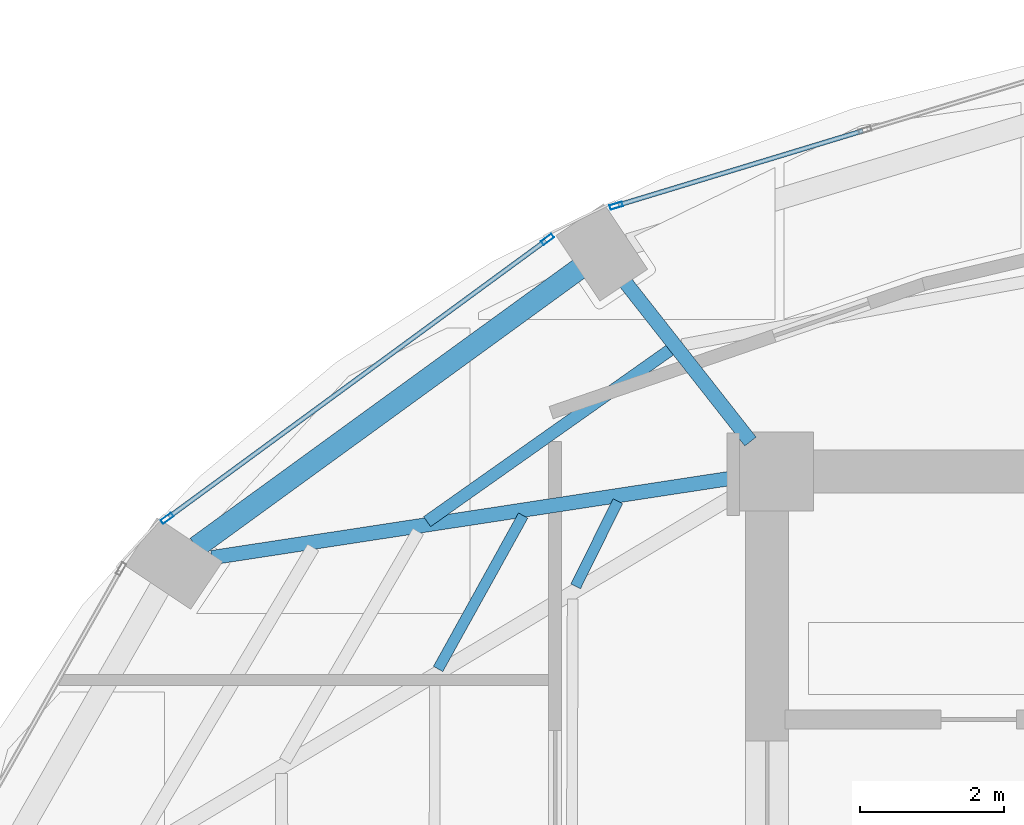
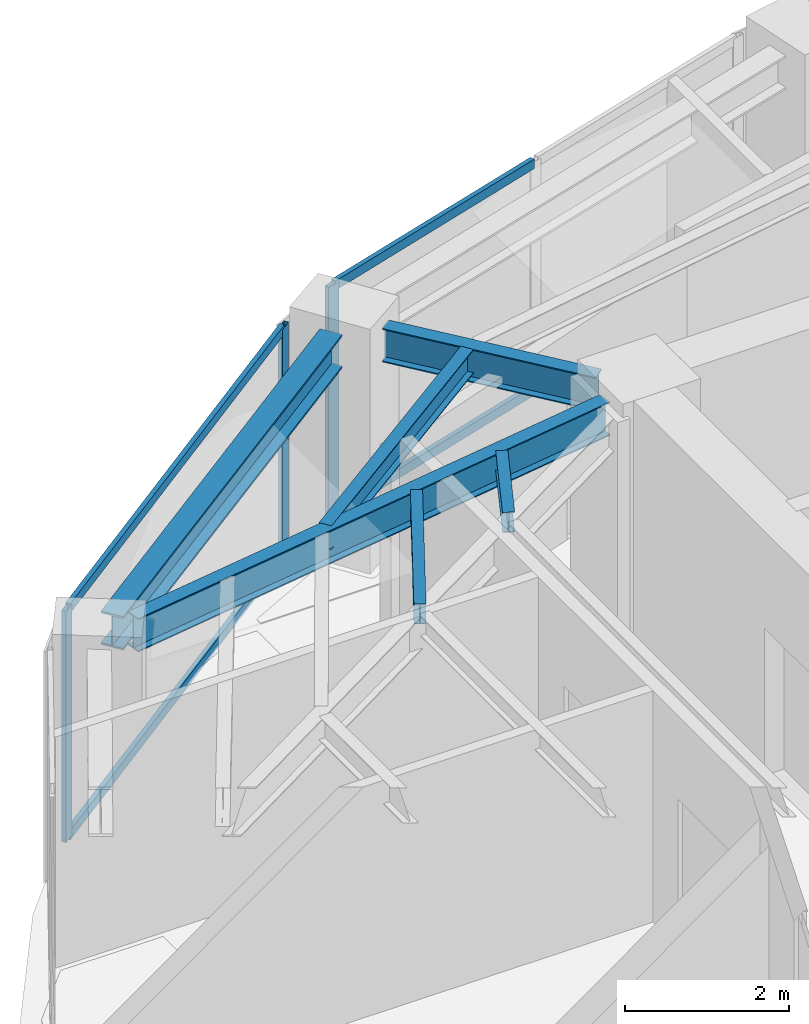
# One storey, part 10 of 23: 7 members, 6 beams, 2 elements without a shape of their own.
"""IFC4 building model written with IfcOpenShell, lengths in metres."""

from ifc_helpers import new_model, si_unit, direction, frame, origin, origin_2d, place, context, subcontext, project, spatial, hollow_rectangle, i_section, extrude, material, layer, layer_set, material_profile, profile_set, type_object, element, aggregate, save


model = new_model("IFC4")

# Units and contexts
model_context = context("Model", 3, precision=1e-05, world=origin(), true_north=direction((0.0, 1.0)))
body_context = subcontext(model_context, "Body", "Model", "MODEL_VIEW")
ifc_project = project(units=[si_unit("LENGTHUNIT", "METRE"), si_unit("AREAUNIT", "SQUARE_METRE"), si_unit("VOLUMEUNIT", "CUBIC_METRE"), si_unit("PLANEANGLEUNIT", "RADIAN"), si_unit("MASSUNIT", "GRAM", prefix="KILO")], contexts=[model_context])

# Site, building, storey
site_placement = place(None, origin())
site = spatial("IfcSite", under=ifc_project, at=site_placement, CompositionType="ELEMENT")
building_placement = place(site_placement, origin())
building = spatial("IfcBuilding", under=site, at=building_placement, Name="Lazwardi Medical Tower", CompositionType="ELEMENT")
storey_placement = place(building_placement, frame((0.0, 0.0, 202.1279296875)))
storey = spatial("IfcBuildingStorey", under=building, at=storey_placement, Name="L52", CompositionType="ELEMENT", Elevation=202.1279296875)

# Beams
ifc_material_1 = material(Name="Steel S355", Category="steel")
ifc_material_profile_1 = material_profile(ifc_material_1, i_section(OverallWidth=0.300048828125, OverallDepth=0.5, WebThickness=0.014404296875, FlangeThickness=0.028076171875, at=origin_2d()), Name="HEB 500")
ifc_profile_set_1 = profile_set([ifc_material_profile_1], Name="Steel S355")
beam_type_1 = type_object("IfcBeamType", Name="BM-RB-Z4", PredefinedType="BEAM", material=ifc_profile_set_1)
beam_1_placement = place(storey_placement, frame((23.68408203125, 38.4248046875, 3.197998046875), z_axis=(-0.808889916254, -0.587960120571, 0.0), x_axis=(0.587960120571, -0.808889916254, 0.0)))
element("IfcBeam", 1, at=beam_1_placement, inside=storey, type_object=beam_type_1, Name="Ring beam RB-05 B10 L52", PredefinedType="BEAM", context=body_context, shape_type="SweptSolid", body=[
    extrude(i_section(OverallWidth=0.300048828125, OverallDepth=0.5, WebThickness=0.014404296875, FlangeThickness=0.028076171875, at=origin_2d()), origin(), (0.0, 0.0, 1.0), 6.587158203125),
])
ifc_material_profile_2 = material_profile(ifc_material_1, i_section(OverallWidth=0.199951171875, OverallDepth=0.5, WebThickness=0.01025390625, FlangeThickness=0.01611328125, at=origin_2d()), Name="IPE 500")
ifc_profile_set_2 = profile_set([ifc_material_profile_2], Name="Steel S355")
beam_type_2 = type_object("IfcBeamType", Name="BM-RG-W3", PredefinedType="BEAM", material=ifc_profile_set_2)
beam_2_placement = place(storey_placement, frame((24.330322265625, 38.2333984375, 3.197998046875), z_axis=(0.617890508382, -0.786264153864, 0.0), x_axis=(0.786264153864, 0.617890508382, 0.0)))
element("IfcBeam", 2, at=beam_2_placement, inside=storey, type_object=beam_type_2, Name="Radial girder RG-04 R10 L52", PredefinedType="BEAM", context=body_context, shape_type="SweptSolid", body=[
    extrude(i_section(OverallWidth=0.199951171875, OverallDepth=0.5, WebThickness=0.01025390625, FlangeThickness=0.01611328125, at=origin_2d()), origin(), (0.0, 0.0, 1.0), 2.814453125),
])
beam_3_placement = place(storey_placement, frame((18.569091796875, 34.4033203125, 3.197998046875), z_axis=(0.988522137285, 0.151076087115, 0.0), x_axis=(-0.151076087115, 0.988522137285, 0.0)))
element("IfcBeam", 3, at=beam_3_placement, inside=storey, type_object=beam_type_2, Name="Radial girder RG-04 R11 L52", PredefinedType="BEAM", context=body_context, shape_type="SweptSolid", body=[
    extrude(i_section(OverallWidth=0.199951171875, OverallDepth=0.5, WebThickness=0.01025390625, FlangeThickness=0.01611328125, at=origin_2d()), origin(), (0.0, 0.0, 1.0), 7.38671875),
])
ifc_material_profile_3 = material_profile(ifc_material_1, i_section(OverallWidth=0.169921875, OverallDepth=0.360107421875, WebThickness=0.008056640625, FlangeThickness=0.0126953125, at=origin_2d()), Name="IPE 360")
ifc_profile_set_3 = profile_set([ifc_material_profile_3], Name="Steel S355")
beam_type_3 = type_object("IfcBeamType", Name="BM-SJ-02", PredefinedType="JOIST", material=ifc_profile_set_3)
beam_4_placement = place(storey_placement, frame((24.948486328125, 37.29345703125, 3.26806640625), z_axis=(-0.816711190406, -0.577046645832, 0.0), x_axis=(0.577046645832, -0.816711190406, 0.0)))
element("IfcBeam", 4, at=beam_4_placement, inside=storey, type_object=beam_type_3, Name="Secondary joist SJ-02 R2 B10 L52", PredefinedType="JOIST", context=body_context, shape_type="SweptSolid", body=[
    extrude(i_section(OverallWidth=0.169921875, OverallDepth=0.360107421875, WebThickness=0.008056640625, FlangeThickness=0.0126953125, at=origin_2d()), origin(), (0.0, 0.0, 1.0), 4.139892578125),
])
ifc_material_profile_4 = material_profile(ifc_material_1, i_section(OverallWidth=0.14990234375, OverallDepth=0.300048828125, WebThickness=0.007080078125, FlangeThickness=0.0107421875, at=origin_2d()), Name="IPE 300")
ifc_profile_set_4 = profile_set([ifc_material_profile_4], Name="Steel S355")
beam_type_4 = type_object("IfcBeamType", Name="BM-SJ-03", PredefinedType="JOIST", material=ifc_profile_set_4)
beam_5_placement = place(storey_placement, frame((22.904296875, 34.98974609375, 3.298095703125), z_axis=(-0.484751625998, -0.874651851363, 0.0), x_axis=(0.874651851363, -0.484751625998, 0.0)))
element("IfcBeam", 5, at=beam_5_placement, inside=storey, type_object=beam_type_4, Name="Secondary joist SJ-03 R3 B11 L52", PredefinedType="JOIST", context=body_context, shape_type="SweptSolid", body=[
    extrude(i_section(OverallWidth=0.14990234375, OverallDepth=0.300048828125, WebThickness=0.007080078125, FlangeThickness=0.0107421875, at=origin_2d()), origin(), (0.0, 0.0, 1.0), 2.442626953125),
])
beam_6_placement = place(storey_placement, frame((24.222412109375, 35.188720703125, 3.298095703125), z_axis=(-0.443587297772, -0.89623116954, 0.0), x_axis=(0.89623116954, -0.443587297772, 0.0)))
element("IfcBeam", 6, at=beam_6_placement, inside=storey, type_object=beam_type_4, Name="Secondary joist SJ-03 R4 B11 L52", PredefinedType="JOIST", context=body_context, shape_type="SweptSolid", body=[
    extrude(i_section(OverallWidth=0.14990234375, OverallDepth=0.300048828125, WebThickness=0.007080078125, FlangeThickness=0.0107421875, at=origin_2d()), origin(), (0.0, 0.0, 1.0), 1.32080078125),
])

# Curtain wall, member
ifc_material_2 = material(Name="Anodised bronze aluminium and solar control glazing", Category="aluminium")
ifc_layer = layer(ifc_material_2, 0.18994140625)
ifc_layer_set = layer_set([ifc_layer], Name="Anodised bronze aluminium and solar control glazing")
curtain_wall_type = type_object("IfcCurtainWallType", Name="CW-SYS-04", PredefinedType="NOTDEFINED", material=ifc_layer_set)
curtain_wall_1_placement = place(storey_placement, origin())
curtain_wall_1 = element("IfcCurtainWall", 7, at=curtain_wall_1_placement, inside=storey, type_object=curtain_wall_type, Name="L52 Unitised bronze curtain wall CW-04", PredefinedType="NOTDEFINED")
ifc_material_3 = material(Name="Anodised bronze aluminium", Category="aluminium")
ifc_material_profile_5 = material_profile(ifc_material_3, hollow_rectangle(XDim=0.06494140625, YDim=0.179931640625, WallThickness=0.00390625, at=origin_2d()), Name="ALU-MULLION 180x65x4")
ifc_profile_set_5 = profile_set([ifc_material_profile_5], Name="Anodised bronze aluminium")
member_type_1 = type_object("IfcMemberType", Name="CW-MUL-03", PredefinedType="MULLION", material=ifc_profile_set_5)
member_1_placement = place(storey_placement, frame((24.2001953125, 39.303466796875, 0.0), z_axis=(0.0, 0.0, 1.0), x_axis=(0.290581889515, -0.956850126972, 0.0)))
member_1 = element("IfcMember", 8, at=member_1_placement, type_object=member_type_1, Name="CW-04 mullion 3", PredefinedType="MULLION", context=body_context, shape_type="SweptSolid", body=[
    extrude(hollow_rectangle(XDim=0.06494140625, YDim=0.179931640625, WallThickness=0.00390625, at=origin_2d()), origin(), (0.0, 0.0, 1.0), 3.447998046875),
])

# Curtain wall, members
curtain_wall_2_placement = place(storey_placement, origin())
curtain_wall_2 = element("IfcCurtainWall", 9, at=curtain_wall_2_placement, inside=storey, type_object=curtain_wall_type, Name="L52 Unitised bronze curtain wall CW-04", PredefinedType="NOTDEFINED")
member_2_placement = place(storey_placement, frame((23.24462890625, 38.8349609375, 0.0), z_axis=(0.0, 0.0, 1.0), x_axis=(0.591268230971, -0.806474971121, 0.0)))
member_2 = element("IfcMember", 10, at=member_2_placement, type_object=member_type_1, Name="CW-04 mullion 1", PredefinedType="MULLION", context=body_context, shape_type="SweptSolid", body=[
    extrude(hollow_rectangle(XDim=0.06494140625, YDim=0.179931640625, WallThickness=0.00390625, at=origin_2d()), origin(), (0.0, 0.0, 1.0), 3.447998046875),
])
member_3_placement = place(storey_placement, frame((17.947998046875, 34.95166015625, 0.0), z_axis=(0.0, 0.0, 1.0), x_axis=(0.591268230971, -0.806474971121, 0.0)))
member_3 = element("IfcMember", 11, at=member_3_placement, type_object=member_type_1, Name="CW-04 mullion 2", PredefinedType="MULLION", context=body_context, shape_type="SweptSolid", body=[
    extrude(hollow_rectangle(XDim=0.06494140625, YDim=0.179931640625, WallThickness=0.00390625, at=origin_2d()), origin(), (0.0, 0.0, 1.0), 3.447998046875),
])

# Member
ifc_material_profile_6 = material_profile(ifc_material_3, hollow_rectangle(XDim=0.06494140625, YDim=0.139892578125, WallThickness=0.00341796875, at=origin_2d()), Name="ALU-TRANSOM 140x65x3.5")
ifc_profile_set_6 = profile_set([ifc_material_profile_6], Name="Anodised bronze aluminium")
member_type_2 = type_object("IfcMemberType", Name="CW-TRN-03", PredefinedType="USERDEFINED", material=ifc_profile_set_6)
member_4_placement = place(storey_placement, frame((27.632568359375, 40.345947265625, 0.032470703125), z_axis=(-0.956843409009, -0.290604010015, 0.0), x_axis=(0.290604010015, -0.956843409009, 0.0)))
member_4 = element("IfcMember", 12, at=member_4_placement, type_object=member_type_2, Name="CW-04 transom 2.1", ObjectType="TRANSOM", PredefinedType="USERDEFINED", context=body_context, shape_type="SweptSolid", body=[
    extrude(hollow_rectangle(XDim=0.06494140625, YDim=0.139892578125, WallThickness=0.00341796875, at=origin_2d()), origin(), (0.0, 0.0, 1.0), 3.554443359375),
])

member_5_placement = place(storey_placement, frame((27.632568359375, 40.345947265625, 3.41552734375), z_axis=(-0.956843409009, -0.290604010015, 0.0), x_axis=(0.290604010015, -0.956843409009, 0.0)))
member_5 = element("IfcMember", 13, at=member_5_placement, type_object=member_type_2, Name="CW-04 transom 2.2", ObjectType="TRANSOM", PredefinedType="USERDEFINED", context=body_context, shape_type="SweptSolid", body=[
    extrude(hollow_rectangle(XDim=0.06494140625, YDim=0.139892578125, WallThickness=0.00341796875, at=origin_2d()), origin(), (0.0, 0.0, 1.0), 3.554443359375),
])

aggregate(curtain_wall_1, [member_1, member_4, member_5])

member_6_placement = place(storey_placement, frame((23.218505859375, 38.815673828125, 0.032470703125), z_axis=(-0.80648973359, -0.591248094808, 0.0), x_axis=(0.591248094808, -0.80648973359, 0.0)))
member_6 = element("IfcMember", 14, at=member_6_placement, type_object=member_type_2, Name="CW-04 transom 1.1", ObjectType="TRANSOM", PredefinedType="USERDEFINED", context=body_context, shape_type="SweptSolid", body=[
    extrude(hollow_rectangle(XDim=0.06494140625, YDim=0.139892578125, WallThickness=0.00341796875, at=origin_2d()), origin(), (0.0, 0.0, 1.0), 6.502685546875),
])

member_7_placement = place(storey_placement, frame((23.218505859375, 38.815673828125, 3.41552734375), z_axis=(-0.80648973359, -0.591248094808, 0.0), x_axis=(0.591248094808, -0.80648973359, 0.0)))
member_7 = element("IfcMember", 15, at=member_7_placement, type_object=member_type_2, Name="CW-04 transom 1.2", ObjectType="TRANSOM", PredefinedType="USERDEFINED", context=body_context, shape_type="SweptSolid", body=[
    extrude(hollow_rectangle(XDim=0.06494140625, YDim=0.139892578125, WallThickness=0.00341796875, at=origin_2d()), origin(), (0.0, 0.0, 1.0), 6.502685546875),
])

aggregate(curtain_wall_2, [member_2, member_3, member_6, member_7])

save(model, "model.ifc")
